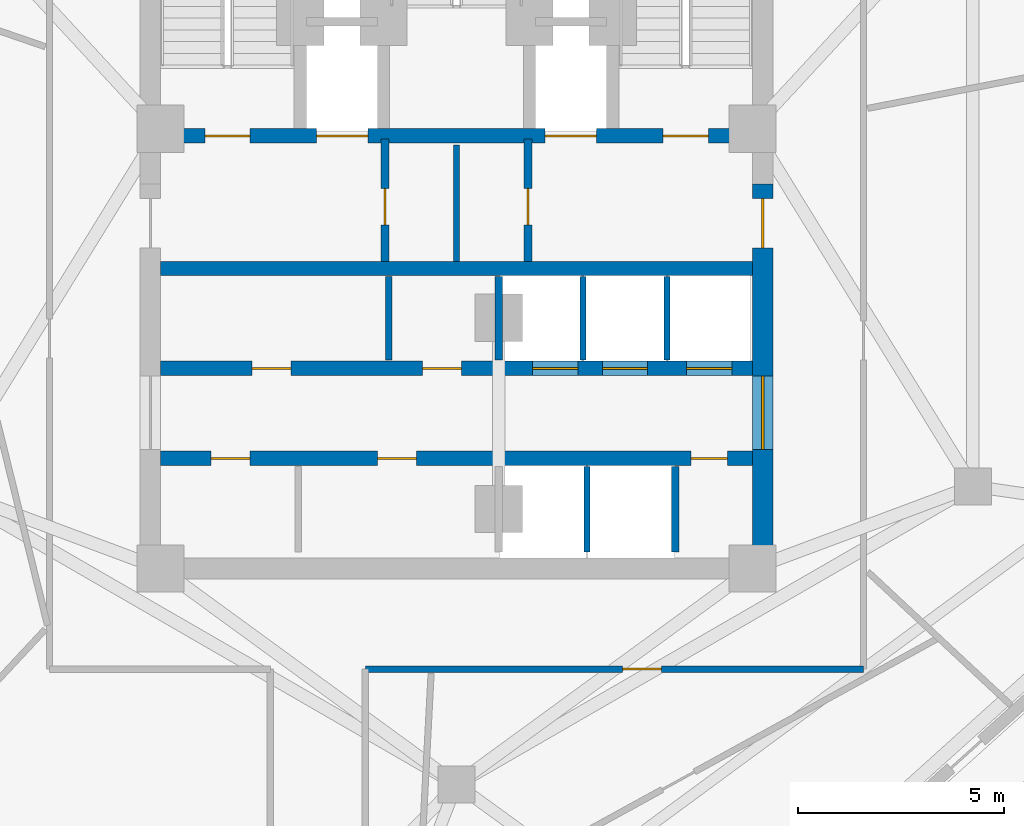
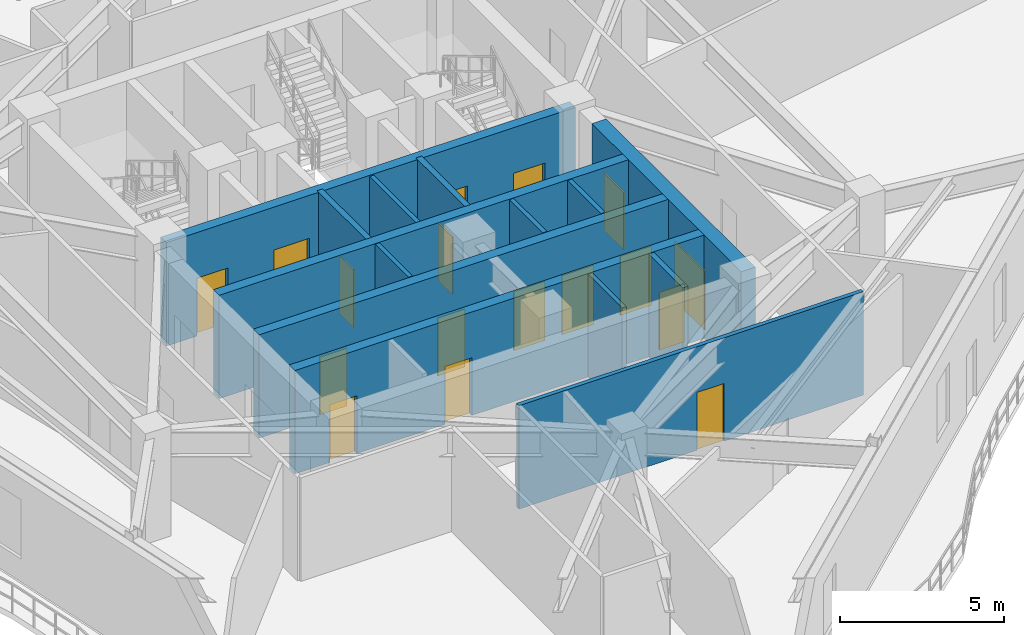
# One storey, part 6 of 12: 17 doors, 15 walls, 17 openings.
"""IFC4 building model written with IfcOpenShell, lengths in metres."""

from ifc_helpers import new_model, si_unit, direction, frame, frame_2d, origin, place, context, subcontext, project, spatial, rectangle, extrude, material, layer, layer_set, type_object, element, fill, save


model = new_model("IFC4")

# Units and contexts
model_context = context("Model", 3, precision=1e-05, world=origin(), true_north=direction((0.0, 1.0)))
body_context = subcontext(model_context, "Body", "Model", "MODEL_VIEW")
ifc_project = project(units=[si_unit("LENGTHUNIT", "METRE"), si_unit("AREAUNIT", "SQUARE_METRE"), si_unit("VOLUMEUNIT", "CUBIC_METRE"), si_unit("PLANEANGLEUNIT", "RADIAN"), si_unit("MASSUNIT", "GRAM", prefix="KILO")], contexts=[model_context])

# Site, building, storey
site_placement = place(None, origin())
site = spatial("IfcSite", under=ifc_project, at=site_placement, CompositionType="ELEMENT")
building_placement = place(site_placement, origin())
building = spatial("IfcBuilding", under=site, at=building_placement, Name="Apsidion Concourse Tower", CompositionType="ELEMENT")
storey_placement = place(building_placement, frame((0.0, 0.0, 240.39990234375)))
storey = spatial("IfcBuildingStorey", under=building, at=storey_placement, Name="L56", CompositionType="ELEMENT", Elevation=240.39990234375)

# Walls
ifc_material_1 = material(Name="Gypsum plasterboard partition")
ifc_layer_1 = layer(ifc_material_1, 0.14990234375)
ifc_layer_set_1 = layer_set([ifc_layer_1], Name="Gypsum plasterboard partition")
wall_type_1 = type_object("IfcWallType", Name="WL-INT-PAR-150", PredefinedType="PARTITIONING", material=ifc_layer_set_1)
for number, where, z_axis, x_axis, name in (
    (1, (-1.64990234375, -4.179931640625, 0.0), (0.0, 0.0, 1.0), (0.0, 1.0, 0.0), "L56 Interior Partition WL-L56-B1RV1"),
    (2, (3.074951171875, -4.179931640625, 0.0), (0.0, 0.0, 1.0), (0.0, 1.0, 0.0), "L56 Interior Partition WL-L56-B3DIV-1"),
    (3, (5.125, -4.179931640625, 0.0), (0.0, 0.0, 1.0), (0.0, 1.0, 0.0), "L56 Interior Partition WL-L56-B3DIV-2"),
):
    element("IfcWall", number, at=place(storey_placement, frame(where, z_axis=z_axis, x_axis=x_axis)), inside=storey, type_object=wall_type_1, Name=name, PredefinedType="PARTITIONING", context=body_context, shape_type="SweptSolid", body=[
        extrude(rectangle(XDim=2.030029296875, YDim=0.14990234375, at=frame_2d((1.01513671875, 0.0))), origin(), (0.0, 0.0, 1.0), 3.85009765625),
    ])
wall_1_placement = place(storey_placement, frame((3.175048828125, -8.85009765625, 0.0), z_axis=(0.0, 0.0, 1.0), x_axis=(0.0, 1.0, 0.0)))
element("IfcWall", 4, at=wall_1_placement, inside=storey, type_object=wall_type_1, Name="L56 Interior Partition WL-L56-SHDIV-1", PredefinedType="PARTITIONING", context=body_context, shape_type="SweptSolid", body=[
    extrude(rectangle(XDim=2.080078125, YDim=0.14990234375, at=frame_2d((1.0400390625, 0.0))), origin(), (0.0, 0.0, 1.0), 3.85009765625),
])
wall_2_placement = place(storey_placement, frame((0.0, -1.780029296875, 0.0), z_axis=(0.0, 0.0, 1.0), x_axis=(0.0, 1.0, 0.0)))
element("IfcWall", 5, at=wall_2_placement, inside=storey, type_object=wall_type_1, Name="L56 Interior Partition WL-L56-K3V", PredefinedType="PARTITIONING", context=body_context, shape_type="SweptSolid", body=[
    extrude(rectangle(XDim=2.830078125, YDim=0.14990234375, at=frame_2d((1.4150390625, 0.0))), origin(), (0.0, 0.0, 1.0), 3.85009765625),
])

# Wall, opening, door
wall_3_placement = place(storey_placement, frame((9.89990234375, -11.699951171875, 0.0), z_axis=(0.0, 0.0, 1.0), x_axis=(-1.0, 0.0, 0.0)))
wall_3 = element("IfcWall", 6, at=wall_3_placement, inside=storey, type_object=wall_type_1, Name="L56 Interior Partition WL-L56-CORR-09", PredefinedType="PARTITIONING", context=body_context, shape_type="SweptSolid", body=[
    extrude(rectangle(XDim=12.119873046875, YDim=0.14990234375, at=frame_2d((6.06005859375, 0.0))), origin(), (0.0, 0.0, 1.0), 3.85009765625),
])
opening_1_placement = place(wall_3_placement, frame((4.9111328125, 0.0, 0.0)))
opening_1 = element("IfcOpeningElement", 7, at=opening_1_placement, cuts=wall_3, Name="Opening D-01L", PredefinedType="OPENING", context=body_context, shape_type="SweptSolid", body=[
    extrude(rectangle(XDim=0.949951171875, YDim=2.14990234375, at=frame_2d((0.47509765625, 1.074951171875))), frame((0.0, 0.0849609375, 0.0), z_axis=(0.0, -1.0, 0.0), x_axis=(1.0, 0.0, 0.0)), (0.0, 0.0, 1.0), 0.169921875),
])
ifc_material_2 = material(Name="Brushed stainless steel 316", Category="steel")
door_type_1 = type_object("IfcDoorType", Name="DR-INT-D01L", OperationType="SINGLE_SWING_LEFT", PredefinedType="DOOR", material=ifc_material_2)
door_1_placement = place(opening_1_placement, origin())
door_1 = element("IfcDoor", 8, at=door_1_placement, inside=storey, type_object=door_type_1, Name="L56 Corridor Entry Door 03", OperationType="SINGLE_SWING_LEFT", OverallHeight=2.14990234375, OverallWidth=0.949951171875, PredefinedType="DOOR", context=body_context, shape_type="SweptSolid", body=[
    extrude(rectangle(XDim=0.949951171875, YDim=2.14990234375, at=frame_2d((0.47509765625, 1.074951171875))), frame((0.0, 0.02490234375, 0.0), z_axis=(0.0, -1.0, 0.0), x_axis=(1.0, 0.0, 0.0)), (0.0, 0.0, 1.0), 0.050048828125),
])
fill(opening_1, door_1)

# Walls
ifc_layer_2 = layer(ifc_material_1, 0.179931640625)
ifc_layer_set_2 = layer_set([ifc_layer_2], Name="Gypsum plasterboard partition")
wall_type_2 = type_object("IfcWallType", Name="WL-INT-PAR-180", PredefinedType="PARTITIONING", material=ifc_layer_set_2)
wall_4_placement = place(storey_placement, frame((1.02490234375, -4.179931640625, 0.0), z_axis=(0.0, 0.0, 1.0), x_axis=(0.0, 1.0, 0.0)))
element("IfcWall", 9, at=wall_4_placement, inside=storey, type_object=wall_type_2, Name="L56 Interior Partition WL-L56-B1END", PredefinedType="PARTITIONING", context=body_context, shape_type="SweptSolid", body=[
    extrude(rectangle(XDim=2.030029296875, YDim=0.179931640625, at=frame_2d((1.01513671875, 0.0))), origin(), (0.0, 0.0, 1.0), 2.898193359375),
])
wall_5_placement = place(storey_placement, frame((5.324951171875, -8.85009765625, 0.0), z_axis=(0.0, 0.0, 1.0), x_axis=(0.0, 1.0, 0.0)))
element("IfcWall", 10, at=wall_5_placement, inside=storey, type_object=wall_type_2, Name="L56 Interior Partition WL-L56-SHDIV-2", PredefinedType="PARTITIONING", context=body_context, shape_type="SweptSolid", body=[
    extrude(rectangle(XDim=2.080078125, YDim=0.179931640625, at=frame_2d((1.0400390625, 0.0))), origin(), (0.0, 0.0, 1.0), 3.85009765625),
])

# Wall, opening, door
ifc_layer_3 = layer(ifc_material_1, 0.199951171875)
ifc_layer_set_3 = layer_set([ifc_layer_3], Name="Gypsum plasterboard partition")
wall_type_3 = type_object("IfcWallType", Name="WL-INT-PAR-200", PredefinedType="PARTITIONING", material=ifc_layer_set_3)
wall_6_placement = place(storey_placement, frame((-1.739990234375, -1.780029296875, 0.0), z_axis=(0.0, 0.0, 1.0), x_axis=(0.0, 1.0, 0.0)))
wall_6 = element("IfcWall", 11, at=wall_6_placement, inside=storey, type_object=wall_type_3, Name="L56 Interior Partition WL-L56-FF1-E", PredefinedType="PARTITIONING", context=body_context, shape_type="SweptSolid", body=[
    extrude(rectangle(XDim=2.97998046875, YDim=0.199951171875, at=frame_2d((1.489990234375, 0.0))), origin(), (0.0, 0.0, 1.0), 3.85009765625),
])
opening_2_placement = place(wall_6_placement, frame((0.889892578125, 0.0, 0.0)))
opening_2 = element("IfcOpeningElement", 12, at=opening_2_placement, cuts=wall_6, Name="Opening D-05R", PredefinedType="OPENING", context=body_context, shape_type="SweptSolid", body=[
    extrude(rectangle(XDim=0.8798828125, YDim=2.14990234375, at=frame_2d((0.43994140625, 1.074951171875))), frame((0.0, 0.10986328125, 0.0), z_axis=(0.0, -1.0, 0.0), x_axis=(1.0, 0.0, 0.0)), (0.0, 0.0, 1.0), 0.219970703125),
])
door_type_2 = type_object("IfcDoorType", Name="DR-INT-D05R", OperationType="SINGLE_SWING_RIGHT", PredefinedType="DOOR", material=ifc_material_2)
door_2_placement = place(opening_2_placement, origin())
door_2 = element("IfcDoor", 13, at=door_2_placement, inside=storey, type_object=door_type_2, Name="L56 Core Pantry Door", OperationType="SINGLE_SWING_RIGHT", OverallHeight=2.14990234375, OverallWidth=0.8798828125, PredefinedType="DOOR", context=body_context, shape_type="SweptSolid", body=[
    extrude(rectangle(XDim=0.8798828125, YDim=2.14990234375, at=frame_2d((0.43994140625, 1.074951171875))), frame((0.0, 0.02490234375, 0.0), z_axis=(0.0, -1.0, 0.0), x_axis=(1.0, 0.0, 0.0)), (0.0, 0.0, 1.0), 0.050048828125),
])
fill(opening_2, door_2)

wall_7_placement = place(storey_placement, frame((1.739990234375, -1.780029296875, 0.0), z_axis=(0.0, 0.0, 1.0), x_axis=(0.0, 1.0, 0.0)))
wall_7 = element("IfcWall", 14, at=wall_7_placement, inside=storey, type_object=wall_type_3, Name="L56 Interior Partition WL-L56-FF2-W", PredefinedType="PARTITIONING", context=body_context, shape_type="SweptSolid", body=[
    extrude(rectangle(XDim=2.97998046875, YDim=0.199951171875, at=frame_2d((1.489990234375, 0.0))), origin(), (0.0, 0.0, 1.0), 3.85009765625),
])
opening_3_placement = place(wall_7_placement, frame((0.889892578125, 0.0, 0.0)))
opening_3 = element("IfcOpeningElement", 15, at=opening_3_placement, cuts=wall_7, Name="Opening D-05L", PredefinedType="OPENING", context=body_context, shape_type="SweptSolid", body=[
    extrude(rectangle(XDim=0.8798828125, YDim=2.14990234375, at=frame_2d((0.43994140625, 1.074951171875))), frame((0.0, 0.10986328125, 0.0), z_axis=(0.0, -1.0, 0.0), x_axis=(1.0, 0.0, 0.0)), (0.0, 0.0, 1.0), 0.219970703125),
])
door_type_3 = type_object("IfcDoorType", Name="DR-INT-D05L", OperationType="SINGLE_SWING_LEFT", PredefinedType="DOOR", material=ifc_material_2)
door_3_placement = place(opening_3_placement, origin())
door_3 = element("IfcDoor", 16, at=door_3_placement, inside=storey, type_object=door_type_3, Name="L56 Core Electrical Door", OperationType="SINGLE_SWING_LEFT", OverallHeight=2.14990234375, OverallWidth=0.8798828125, PredefinedType="DOOR", context=body_context, shape_type="SweptSolid", body=[
    extrude(rectangle(XDim=0.8798828125, YDim=2.14990234375, at=frame_2d((0.43994140625, 1.074951171875))), frame((0.0, 0.02490234375, 0.0), z_axis=(0.0, -1.0, 0.0), x_axis=(1.0, 0.0, 0.0)), (0.0, 0.0, 1.0), 0.050048828125),
])
fill(opening_3, door_3)

# Wall, openings, doors
ifc_material_3 = material(Name="Concrete C50/60", Category="concrete")
ifc_layer_4 = layer(ifc_material_3, 0.35009765625)
ifc_layer_set_4 = layer_set([ifc_layer_4], Name="Concrete C50/60")
wall_type_4 = type_object("IfcWallType", Name="WL-SH-350", PredefinedType="SHEAR", material=ifc_layer_set_4)
wall_8_placement = place(storey_placement, frame((-7.199951171875, 1.27490234375, 0.0), z_axis=(0.0, 0.0, 1.0), x_axis=(1.0, 0.0, 0.0)))
wall_8 = element("IfcWall", 17, at=wall_8_placement, inside=storey, type_object=wall_type_4, Name="L56 Central Core Shear Wall M1", PredefinedType="SHEAR", context=body_context, shape_type="SweptSolid", body=[
    extrude(rectangle(XDim=14.39990234375, YDim=0.35009765625, at=frame_2d((7.199951171875, 0.0))), origin(), (0.0, 0.0, 1.0), 3.85009765625),
])
opening_4_placement = place(wall_8_placement, frame((3.794921875, 0.0, 0.0)))
opening_4 = element("IfcOpeningElement", 18, at=opening_4_placement, cuts=wall_8, Name="Opening LD-FF", PredefinedType="OPENING", context=body_context, shape_type="SweptSolid", body=[
    extrude(rectangle(XDim=1.25, YDim=2.25, at=frame_2d((0.625, 1.125))), frame((0.0, 0.18505859375, 0.0), z_axis=(0.0, -1.0, 0.0), x_axis=(1.0, 0.0, 0.0)), (0.0, 0.0, 1.0), 0.3701171875),
])
opening_5_placement = place(wall_8_placement, frame((9.35498046875, 0.0, 0.0)))
opening_5 = element("IfcOpeningElement", 19, at=opening_5_placement, cuts=wall_8, Name="Opening LD-FF", PredefinedType="OPENING", context=body_context, shape_type="SweptSolid", body=[
    extrude(rectangle(XDim=1.25, YDim=2.25, at=frame_2d((0.625, 1.125))), frame((0.0, 0.18505859375, 0.0), z_axis=(0.0, -1.0, 0.0), x_axis=(1.0, 0.0, 0.0)), (0.0, 0.0, 1.0), 0.3701171875),
])
opening_6_placement = place(wall_8_placement, frame((1.074951171875, 0.0, 0.0)))
opening_6 = element("IfcOpeningElement", 20, at=opening_6_placement, cuts=wall_8, Name="Opening D-STL", PredefinedType="OPENING", context=body_context, shape_type="SweptSolid", body=[
    extrude(rectangle(XDim=1.10009765625, YDim=2.14990234375, at=frame_2d((0.550048828125, 1.074951171875))), frame((0.0, 0.18505859375, 0.0), z_axis=(0.0, -1.0, 0.0), x_axis=(1.0, 0.0, 0.0)), (0.0, 0.0, 1.0), 0.3701171875),
])
opening_7_placement = place(wall_8_placement, frame((12.22509765625, 0.0, 0.0)))
opening_7 = element("IfcOpeningElement", 21, at=opening_7_placement, cuts=wall_8, Name="Opening D-STR", PredefinedType="OPENING", context=body_context, shape_type="SweptSolid", body=[
    extrude(rectangle(XDim=1.10009765625, YDim=2.14990234375, at=frame_2d((0.550048828125, 1.074951171875))), frame((0.0, 0.18505859375, 0.0), z_axis=(0.0, -1.0, 0.0), x_axis=(1.0, 0.0, 0.0)), (0.0, 0.0, 1.0), 0.3701171875),
])
door_type_4 = type_object("IfcDoorType", Name="DR-INT-ST1L", OperationType="SINGLE_SWING_LEFT", PredefinedType="DOOR", material=ifc_material_2)
door_4_placement = place(opening_6_placement, origin())
door_4 = element("IfcDoor", 22, at=door_4_placement, inside=storey, type_object=door_type_4, Name="L56 Core Exit Stair ST1 Door", OperationType="SINGLE_SWING_LEFT", OverallHeight=2.14990234375, OverallWidth=1.10009765625, PredefinedType="DOOR", context=body_context, shape_type="SweptSolid", body=[
    extrude(rectangle(XDim=1.10009765625, YDim=2.14990234375, at=frame_2d((0.550048828125, 1.074951171875))), frame((0.0, 0.02490234375, 0.0), z_axis=(0.0, -1.0, 0.0), x_axis=(1.0, 0.0, 0.0)), (0.0, 0.0, 1.0), 0.050048828125),
])
fill(opening_6, door_4)
door_type_5 = type_object("IfcDoorType", Name="DR-INT-ST1R", OperationType="SINGLE_SWING_RIGHT", PredefinedType="DOOR", material=ifc_material_2)
door_5_placement = place(opening_7_placement, origin())
door_5 = element("IfcDoor", 23, at=door_5_placement, inside=storey, type_object=door_type_5, Name="L56 Core Exit Stair ST2 Door", OperationType="SINGLE_SWING_RIGHT", OverallHeight=2.14990234375, OverallWidth=1.10009765625, PredefinedType="DOOR", context=body_context, shape_type="SweptSolid", body=[
    extrude(rectangle(XDim=1.10009765625, YDim=2.14990234375, at=frame_2d((0.550048828125, 1.074951171875))), frame((0.0, 0.02490234375, 0.0), z_axis=(0.0, -1.0, 0.0), x_axis=(1.0, 0.0, 0.0)), (0.0, 0.0, 1.0), 0.050048828125),
])
fill(opening_7, door_5)
door_type_6 = type_object("IfcDoorType", Name="DR-LD-FSAE", OperationType="DOUBLE_DOOR_SLIDING", PredefinedType="DOOR", material=ifc_material_2)
door_6_placement = place(opening_4_placement, origin())
door_6 = element("IfcDoor", 24, at=door_6_placement, inside=storey, type_object=door_type_6, Name="L56 Lift Landing Door FF1", OperationType="DOUBLE_DOOR_SLIDING", OverallHeight=2.25, OverallWidth=1.25, PredefinedType="DOOR", context=body_context, shape_type="SweptSolid", body=[
    extrude(rectangle(XDim=1.25, YDim=2.25, at=frame_2d((0.625, 1.125))), frame((0.0, 0.02490234375, 0.0), z_axis=(0.0, -1.0, 0.0), x_axis=(1.0, 0.0, 0.0)), (0.0, 0.0, 1.0), 0.050048828125),
])
fill(opening_4, door_6)
door_7_placement = place(opening_5_placement, origin())
door_7 = element("IfcDoor", 25, at=door_7_placement, inside=storey, type_object=door_type_6, Name="L56 Lift Landing Door FF2", OperationType="DOUBLE_DOOR_SLIDING", OverallHeight=2.25, OverallWidth=1.25, PredefinedType="DOOR", context=body_context, shape_type="SweptSolid", body=[
    extrude(rectangle(XDim=1.25, YDim=2.25, at=frame_2d((0.625, 1.125))), frame((0.0, 0.02490234375, 0.0), z_axis=(0.0, -1.0, 0.0), x_axis=(1.0, 0.0, 0.0)), (0.0, 0.0, 1.0), 0.050048828125),
])
fill(opening_5, door_7)

# Wall
wall_9_placement = place(storey_placement, frame((-7.199951171875, -1.949951171875, 0.0), z_axis=(0.0, 0.0, 1.0), x_axis=(1.0, 0.0, 0.0)))
element("IfcWall", 26, at=wall_9_placement, inside=storey, type_object=wall_type_4, Name="L56 Central Core Shear Wall M2", PredefinedType="SHEAR", context=body_context, shape_type="SweptSolid", body=[
    extrude(rectangle(XDim=14.39990234375, YDim=0.35009765625, at=frame_2d((7.199951171875, 0.0))), origin(), (0.0, 0.0, 1.0), 3.85009765625),
])

# Wall, openings, doors
wall_10_placement = place(storey_placement, frame((-7.199951171875, -4.3798828125, 0.0), z_axis=(0.0, 0.0, 1.0), x_axis=(1.0, 0.0, 0.0)))
wall_10 = element("IfcWall", 27, at=wall_10_placement, inside=storey, type_object=wall_type_4, Name="L56 Central Core Shear Wall LA", PredefinedType="SHEAR", context=body_context, shape_type="SweptSolid", body=[
    extrude(rectangle(XDim=14.39990234375, YDim=0.35009765625, at=frame_2d((7.199951171875, 0.0))), origin(), (0.0, 0.0, 1.0), 3.85009765625),
])
opening_8_placement = place(wall_10_placement, frame((9.050048828125, 0.0, 0.0)))
opening_8 = element("IfcOpeningElement", 28, at=opening_8_placement, cuts=wall_10, Name="Opening LD-P1", PredefinedType="OPENING", context=body_context, shape_type="SweptSolid", body=[
    extrude(rectangle(XDim=1.10009765625, YDim=2.199951171875, at=frame_2d((0.550048828125, 1.10009765625))), frame((0.0, 0.18505859375, 0.0), z_axis=(0.0, -1.0, 0.0), x_axis=(1.0, 0.0, 0.0)), (0.0, 0.0, 1.0), 0.3701171875),
])
opening_9_placement = place(wall_10_placement, frame((10.75, 0.0, 0.0)))
opening_9 = element("IfcOpeningElement", 29, at=opening_9_placement, cuts=wall_10, Name="Opening LD-P1", PredefinedType="OPENING", context=body_context, shape_type="SweptSolid", body=[
    extrude(rectangle(XDim=1.10009765625, YDim=2.199951171875, at=frame_2d((0.550048828125, 1.10009765625))), frame((0.0, 0.18505859375, 0.0), z_axis=(0.0, -1.0, 0.0), x_axis=(1.0, 0.0, 0.0)), (0.0, 0.0, 1.0), 0.3701171875),
])
opening_10_placement = place(wall_10_placement, frame((12.800048828125, 0.0, 0.0)))
opening_10 = element("IfcOpeningElement", 30, at=opening_10_placement, cuts=wall_10, Name="Opening LD-P1", PredefinedType="OPENING", context=body_context, shape_type="SweptSolid", body=[
    extrude(rectangle(XDim=1.10009765625, YDim=2.199951171875, at=frame_2d((0.550048828125, 1.10009765625))), frame((0.0, 0.18505859375, 0.0), z_axis=(0.0, -1.0, 0.0), x_axis=(1.0, 0.0, 0.0)), (0.0, 0.0, 1.0), 0.3701171875),
])
opening_11_placement = place(wall_10_placement, frame((2.22509765625, 0.0, 0.0)))
opening_11 = element("IfcOpeningElement", 31, at=opening_11_placement, cuts=wall_10, Name="Opening D-04L", PredefinedType="OPENING", context=body_context, shape_type="SweptSolid", body=[
    extrude(rectangle(XDim=0.949951171875, YDim=2.14990234375, at=frame_2d((0.47509765625, 1.074951171875))), frame((0.0, 0.18505859375, 0.0), z_axis=(0.0, -1.0, 0.0), x_axis=(1.0, 0.0, 0.0)), (0.0, 0.0, 1.0), 0.3701171875),
])
opening_12_placement = place(wall_10_placement, frame((6.375, 0.0, 0.0)))
opening_12 = element("IfcOpeningElement", 32, at=opening_12_placement, cuts=wall_10, Name="Opening D-04R", PredefinedType="OPENING", context=body_context, shape_type="SweptSolid", body=[
    extrude(rectangle(XDim=0.949951171875, YDim=2.14990234375, at=frame_2d((0.47509765625, 1.074951171875))), frame((0.0, 0.18505859375, 0.0), z_axis=(0.0, -1.0, 0.0), x_axis=(1.0, 0.0, 0.0)), (0.0, 0.0, 1.0), 0.3701171875),
])
door_type_7 = type_object("IfcDoorType", Name="DR-INT-D04L", OperationType="SINGLE_SWING_LEFT", PredefinedType="DOOR", material=ifc_material_2)
door_8_placement = place(opening_11_placement, origin())
door_8 = element("IfcDoor", 33, at=door_8_placement, inside=storey, type_object=door_type_7, Name="L56 Tenant Records Archive Room Door", OperationType="SINGLE_SWING_LEFT", OverallHeight=2.14990234375, OverallWidth=0.949951171875, PredefinedType="DOOR", context=body_context, shape_type="SweptSolid", body=[
    extrude(rectangle(XDim=0.949951171875, YDim=2.14990234375, at=frame_2d((0.47509765625, 1.074951171875))), frame((0.0, 0.02490234375, 0.0), z_axis=(0.0, -1.0, 0.0), x_axis=(1.0, 0.0, 0.0)), (0.0, 0.0, 1.0), 0.050048828125),
])
fill(opening_11, door_8)
door_type_8 = type_object("IfcDoorType", Name="DR-INT-D04R", OperationType="SINGLE_SWING_RIGHT", PredefinedType="DOOR", material=ifc_material_2)
door_9_placement = place(opening_12_placement, origin())
door_9 = element("IfcDoor", 34, at=door_9_placement, inside=storey, type_object=door_type_8, Name="L56 Core Beverage Pantry Door", OperationType="SINGLE_SWING_RIGHT", OverallHeight=2.14990234375, OverallWidth=0.949951171875, PredefinedType="DOOR", context=body_context, shape_type="SweptSolid", body=[
    extrude(rectangle(XDim=0.949951171875, YDim=2.14990234375, at=frame_2d((0.47509765625, 1.074951171875))), frame((0.0, 0.02490234375, 0.0), z_axis=(0.0, -1.0, 0.0), x_axis=(1.0, 0.0, 0.0)), (0.0, 0.0, 1.0), 0.050048828125),
])
fill(opening_12, door_9)
door_type_9 = type_object("IfcDoorType", Name="DR-LD-PASS", OperationType="DOUBLE_DOOR_SLIDING", PredefinedType="DOOR", material=ifc_material_2)
door_10_placement = place(opening_8_placement, origin())
door_10 = element("IfcDoor", 35, at=door_10_placement, inside=storey, type_object=door_type_9, Name="L56 Lift Landing Door P9", OperationType="DOUBLE_DOOR_SLIDING", OverallHeight=2.199951171875, OverallWidth=1.10009765625, PredefinedType="DOOR", context=body_context, shape_type="SweptSolid", body=[
    extrude(rectangle(XDim=1.10009765625, YDim=2.199951171875, at=frame_2d((0.550048828125, 1.10009765625))), frame((0.0, 0.02490234375, 0.0), z_axis=(0.0, -1.0, 0.0), x_axis=(1.0, 0.0, 0.0)), (0.0, 0.0, 1.0), 0.050048828125),
])
fill(opening_8, door_10)
door_11_placement = place(opening_9_placement, origin())
door_11 = element("IfcDoor", 36, at=door_11_placement, inside=storey, type_object=door_type_9, Name="L56 Lift Landing Door P10", OperationType="DOUBLE_DOOR_SLIDING", OverallHeight=2.199951171875, OverallWidth=1.10009765625, PredefinedType="DOOR", context=body_context, shape_type="SweptSolid", body=[
    extrude(rectangle(XDim=1.10009765625, YDim=2.199951171875, at=frame_2d((0.550048828125, 1.10009765625))), frame((0.0, 0.02490234375, 0.0), z_axis=(0.0, -1.0, 0.0), x_axis=(1.0, 0.0, 0.0)), (0.0, 0.0, 1.0), 0.050048828125),
])
fill(opening_9, door_11)
door_12_placement = place(opening_10_placement, origin())
door_12 = element("IfcDoor", 37, at=door_12_placement, inside=storey, type_object=door_type_9, Name="L56 Lift Landing Door P11", OperationType="DOUBLE_DOOR_SLIDING", OverallHeight=2.199951171875, OverallWidth=1.10009765625, PredefinedType="DOOR", context=body_context, shape_type="SweptSolid", body=[
    extrude(rectangle(XDim=1.10009765625, YDim=2.199951171875, at=frame_2d((0.550048828125, 1.10009765625))), frame((0.0, 0.02490234375, 0.0), z_axis=(0.0, -1.0, 0.0), x_axis=(1.0, 0.0, 0.0)), (0.0, 0.0, 1.0), 0.050048828125),
])
fill(opening_10, door_12)

wall_11_placement = place(storey_placement, frame((-7.199951171875, -6.570068359375, 0.0), z_axis=(0.0, 0.0, 1.0), x_axis=(1.0, 0.0, 0.0)))
wall_11 = element("IfcWall", 38, at=wall_11_placement, inside=storey, type_object=wall_type_4, Name="L56 Central Core Shear Wall LB", PredefinedType="SHEAR", context=body_context, shape_type="SweptSolid", body=[
    extrude(rectangle(XDim=14.39990234375, YDim=0.35009765625, at=frame_2d((7.199951171875, 0.0))), origin(), (0.0, 0.0, 1.0), 3.85009765625),
])
opening_13_placement = place(wall_11_placement, frame((1.22509765625, 0.0, 0.0)))
opening_13 = element("IfcOpeningElement", 39, at=opening_13_placement, cuts=wall_11, Name="Opening D-04R", PredefinedType="OPENING", context=body_context, shape_type="SweptSolid", body=[
    extrude(rectangle(XDim=0.949951171875, YDim=2.14990234375, at=frame_2d((0.47509765625, 1.074951171875))), frame((0.0, 0.18505859375, 0.0), z_axis=(0.0, -1.0, 0.0), x_axis=(1.0, 0.0, 0.0)), (0.0, 0.0, 1.0), 0.3701171875),
])
opening_14_placement = place(wall_11_placement, frame((5.27490234375, 0.0, 0.0)))
opening_14 = element("IfcOpeningElement", 40, at=opening_14_placement, cuts=wall_11, Name="Opening D-04L", PredefinedType="OPENING", context=body_context, shape_type="SweptSolid", body=[
    extrude(rectangle(XDim=0.949951171875, YDim=2.14990234375, at=frame_2d((0.47509765625, 1.074951171875))), frame((0.0, 0.18505859375, 0.0), z_axis=(0.0, -1.0, 0.0), x_axis=(1.0, 0.0, 0.0)), (0.0, 0.0, 1.0), 0.3701171875),
])
opening_15_placement = place(wall_11_placement, frame((12.909912109375, 0.0, 0.0)))
opening_15 = element("IfcOpeningElement", 41, at=opening_15_placement, cuts=wall_11, Name="Opening D-05L", PredefinedType="OPENING", context=body_context, shape_type="SweptSolid", body=[
    extrude(rectangle(XDim=0.8798828125, YDim=2.14990234375, at=frame_2d((0.43994140625, 1.074951171875))), frame((0.0, 0.18505859375, 0.0), z_axis=(0.0, -1.0, 0.0), x_axis=(1.0, 0.0, 0.0)), (0.0, 0.0, 1.0), 0.3701171875),
])
door_13_placement = place(opening_14_placement, origin())
door_13 = element("IfcDoor", 42, at=door_13_placement, inside=storey, type_object=door_type_7, Name="L56 Executive Servery Pantry Door", OperationType="SINGLE_SWING_LEFT", OverallHeight=2.14990234375, OverallWidth=0.949951171875, PredefinedType="DOOR", context=body_context, shape_type="SweptSolid", body=[
    extrude(rectangle(XDim=0.949951171875, YDim=2.14990234375, at=frame_2d((0.47509765625, 1.074951171875))), frame((0.0, 0.02490234375, 0.0), z_axis=(0.0, -1.0, 0.0), x_axis=(1.0, 0.0, 0.0)), (0.0, 0.0, 1.0), 0.050048828125),
])
fill(opening_14, door_13)
door_14_placement = place(opening_13_placement, origin())
door_14 = element("IfcDoor", 43, at=door_14_placement, inside=storey, type_object=door_type_8, Name="L56 Executive Records Store Door", OperationType="SINGLE_SWING_RIGHT", OverallHeight=2.14990234375, OverallWidth=0.949951171875, PredefinedType="DOOR", context=body_context, shape_type="SweptSolid", body=[
    extrude(rectangle(XDim=0.949951171875, YDim=2.14990234375, at=frame_2d((0.47509765625, 1.074951171875))), frame((0.0, 0.02490234375, 0.0), z_axis=(0.0, -1.0, 0.0), x_axis=(1.0, 0.0, 0.0)), (0.0, 0.0, 1.0), 0.050048828125),
])
fill(opening_13, door_14)
door_15_placement = place(opening_15_placement, origin())
door_15 = element("IfcDoor", 44, at=door_15_placement, inside=storey, type_object=door_type_3, Name="L56 Cleaners Store Door", OperationType="SINGLE_SWING_LEFT", OverallHeight=2.14990234375, OverallWidth=0.8798828125, PredefinedType="DOOR", context=body_context, shape_type="SweptSolid", body=[
    extrude(rectangle(XDim=0.8798828125, YDim=2.14990234375, at=frame_2d((0.43994140625, 1.074951171875))), frame((0.0, 0.02490234375, 0.0), z_axis=(0.0, -1.0, 0.0), x_axis=(1.0, 0.0, 0.0)), (0.0, 0.0, 1.0), 0.050048828125),
])
fill(opening_15, door_15)

ifc_layer_5 = layer(ifc_material_3, 0.5)
ifc_layer_set_5 = layer_set([ifc_layer_5], Name="Concrete C50/60")
wall_type_5 = type_object("IfcWallType", Name="WL-SH-500", PredefinedType="SHEAR", material=ifc_layer_set_5)
wall_12_placement = place(storey_placement, frame((7.449951171875, -9.0, 0.0), z_axis=(0.0, 0.0, 1.0), x_axis=(0.0, 1.0, 0.0)))
wall_12 = element("IfcWall", 45, at=wall_12_placement, inside=storey, type_object=wall_type_5, Name="L56 Central Core Shear Wall ES", PredefinedType="SHEAR", context=body_context, shape_type="SweptSolid", body=[
    extrude(rectangle(XDim=9.10009765625, YDim=0.5, at=frame_2d((4.550048828125, 0.0))), origin(), (0.0, 0.0, 1.0), 3.85009765625),
])
opening_16_placement = place(wall_12_placement, frame((2.639892578125, 0.0, 0.0)))
opening_16 = element("IfcOpeningElement", 46, at=opening_16_placement, cuts=wall_12, Name="Opening D-06D", PredefinedType="OPENING", context=body_context, shape_type="SweptSolid", body=[
    extrude(rectangle(XDim=1.800048828125, YDim=2.199951171875, at=frame_2d((0.89990234375, 1.10009765625))), frame((0.0, 0.260009765625, 0.0), z_axis=(0.0, -1.0, 0.0), x_axis=(1.0, 0.0, 0.0)), (0.0, 0.0, 1.0), 0.52001953125),
])
opening_17_placement = place(wall_12_placement, frame((7.550048828125, 0.0, 0.0)))
opening_17 = element("IfcOpeningElement", 47, at=opening_17_placement, cuts=wall_12, Name="Opening D-FFR", PredefinedType="OPENING", context=body_context, shape_type="SweptSolid", body=[
    extrude(rectangle(XDim=1.199951171875, YDim=2.14990234375, at=frame_2d((0.60009765625, 1.074951171875))), frame((0.0, 0.260009765625, 0.0), z_axis=(0.0, -1.0, 0.0), x_axis=(1.0, 0.0, 0.0)), (0.0, 0.0, 1.0), 0.52001953125),
])
door_type_10 = type_object("IfcDoorType", Name="DR-INT-D06D", OperationType="DOUBLE_DOOR_SINGLE_SWING", PredefinedType="DOOR", material=ifc_material_2)
door_16_placement = place(opening_16_placement, origin())
door_16 = element("IfcDoor", 48, at=door_16_placement, inside=storey, type_object=door_type_10, Name="L56 Passenger Lift Lobby ES Portal Door", OperationType="DOUBLE_DOOR_SINGLE_SWING", OverallHeight=2.199951171875, OverallWidth=1.800048828125, PredefinedType="DOOR", context=body_context, shape_type="SweptSolid", body=[
    extrude(rectangle(XDim=1.800048828125, YDim=2.199951171875, at=frame_2d((0.89990234375, 1.10009765625))), frame((0.0, 0.02490234375, 0.0), z_axis=(0.0, -1.0, 0.0), x_axis=(1.0, 0.0, 0.0)), (0.0, 0.0, 1.0), 0.050048828125),
])
fill(opening_16, door_16)
door_type_11 = type_object("IfcDoorType", Name="DR-INT-FFR", OperationType="SINGLE_SWING_RIGHT", PredefinedType="DOOR", material=ifc_material_2)
door_17_placement = place(opening_17_placement, origin())
door_17 = element("IfcDoor", 49, at=door_17_placement, inside=storey, type_object=door_type_11, Name="L56 Firefighting Lift Lobby FF2 Door", OperationType="SINGLE_SWING_RIGHT", OverallHeight=2.14990234375, OverallWidth=1.199951171875, PredefinedType="DOOR", context=body_context, shape_type="SweptSolid", body=[
    extrude(rectangle(XDim=1.199951171875, YDim=2.14990234375, at=frame_2d((0.60009765625, 1.074951171875))), frame((0.0, 0.02490234375, 0.0), z_axis=(0.0, -1.0, 0.0), x_axis=(1.0, 0.0, 0.0)), (0.0, 0.0, 1.0), 0.050048828125),
])
fill(opening_17, door_17)

save(model, "model.ifc")
